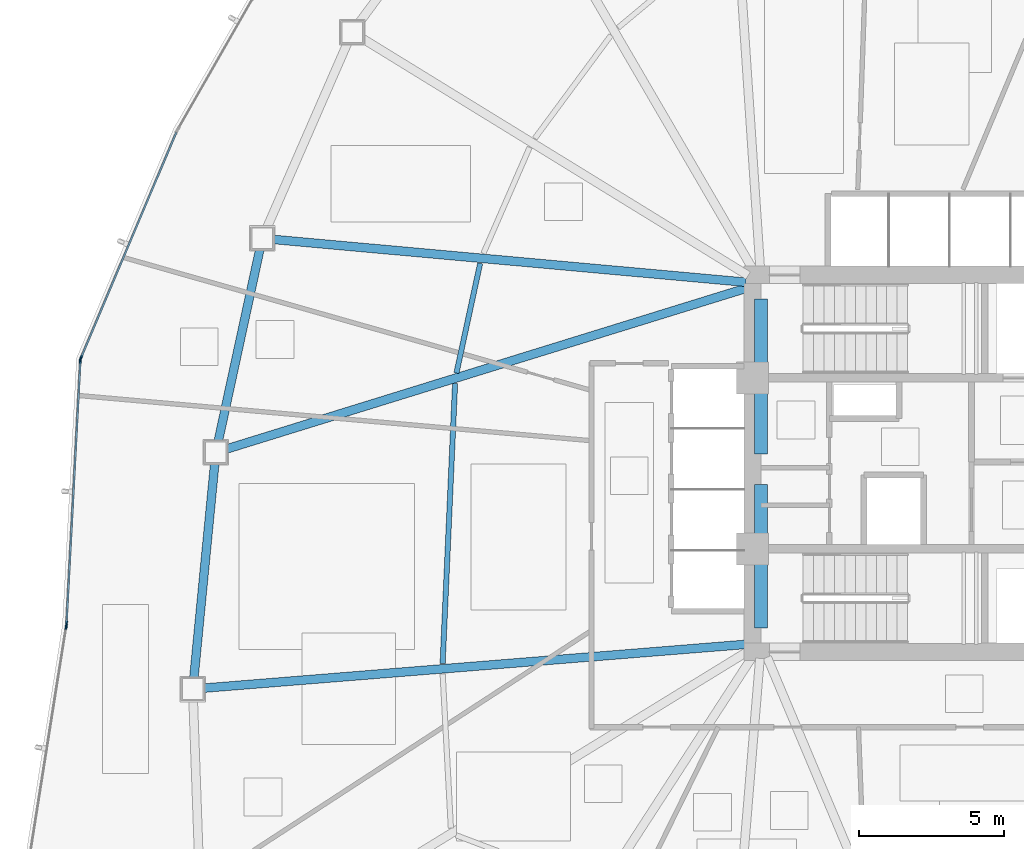
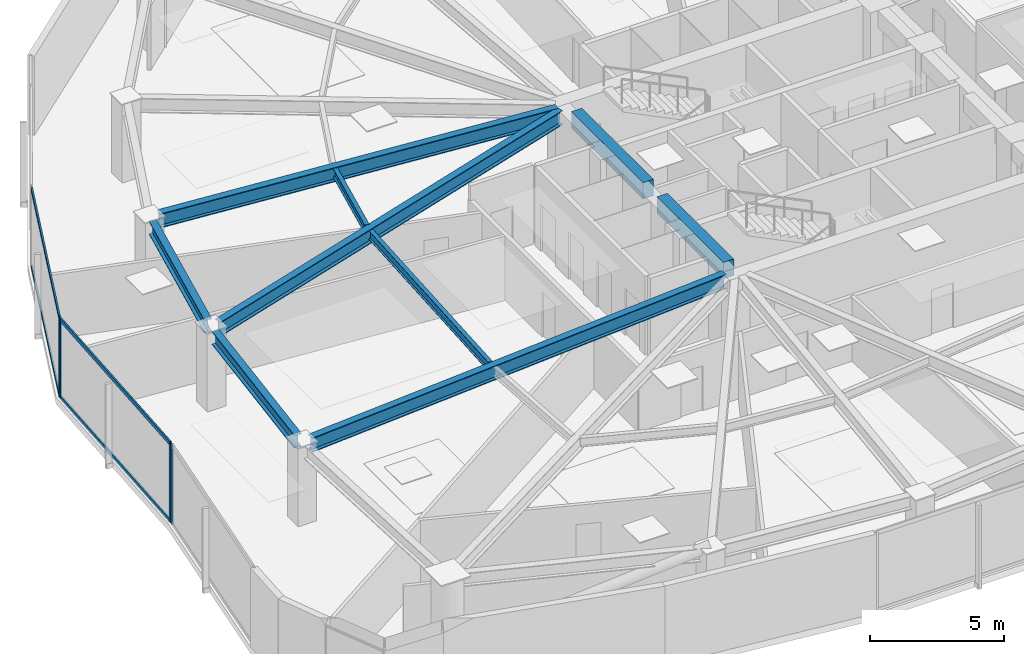
# One storey, part 4 of 17: 9 beams, 8 members, 3 elements without a shape of their own.
"""IFC4 building model written with IfcOpenShell, lengths in metres."""

from ifc_helpers import new_model, si_unit, direction, frame, origin, origin_2d, place, context, subcontext, project, spatial, rectangle, hollow_rectangle, i_section, extrude, source, transform, mapped, material, layer, layer_set, material_profile, profile_set, type_object, type_shapes, element, aggregate, save


model = new_model("IFC4")

# Units and contexts
model_context = context("Model", 3, precision=1e-05, world=origin(), true_north=direction((0.0, 1.0)))
body_context = subcontext(model_context, "Body", "Model", "MODEL_VIEW")
ifc_project = project(units=[si_unit("LENGTHUNIT", "METRE"), si_unit("AREAUNIT", "SQUARE_METRE"), si_unit("VOLUMEUNIT", "CUBIC_METRE"), si_unit("PLANEANGLEUNIT", "RADIAN"), si_unit("MASSUNIT", "GRAM", prefix="KILO")], contexts=[model_context])

# Site, building, storey
site_placement = place(None, origin())
site = spatial("IfcSite", under=ifc_project, at=site_placement, CompositionType="ELEMENT")
building_placement = place(site_placement, origin())
building = spatial("IfcBuilding", under=site, at=building_placement, Name="Tavelor Broadcast Tower", CompositionType="ELEMENT")
storey_placement = place(building_placement, frame((0.0, 0.0, 39.300048828125)))
storey = spatial("IfcBuildingStorey", under=building, at=storey_placement, Name="L08", CompositionType="ELEMENT", Elevation=39.300048828125)

# Beams
ifc_material_1 = material(Name="Concrete C40/50", Category="concrete")
ifc_material_profile_1 = material_profile(ifc_material_1, rectangle(XDim=0.449951171875, YDim=0.75, at=origin_2d()), Name="RC 450x750")
ifc_profile_set_1 = profile_set([ifc_material_profile_1], Name="Concrete C40/50")
beam_type_1 = type_object("IfcBeamType", Name="Basement Core Trim Beam 450x750", PredefinedType="BEAM", material=ifc_profile_set_1)
beam_1_placement = place(storey_placement, frame((43.39990234375, 45.327880859375, 3.224853515625), z_axis=(0.0, 1.0, 0.0), x_axis=(-1.0, 0.0, 0.0)))
element("IfcBeam", 1, at=beam_1_placement, inside=storey, type_object=beam_type_1, Name="L08 Core West-N Tie Girder", PredefinedType="BEAM", context=body_context, shape_type="SweptSolid", body=[
    extrude(rectangle(XDim=0.449951171875, YDim=0.75, at=origin_2d()), origin(), (0.0, 0.0, 1.0), 5.34423828125),
])
beam_2_placement = place(storey_placement, frame((43.39990234375, 39.327880859375, 3.224853515625), z_axis=(0.0, 1.0, 0.0), x_axis=(-1.0, 0.0, 0.0)))
element("IfcBeam", 2, at=beam_2_placement, inside=storey, type_object=beam_type_1, Name="L08 Core West-S Tie Girder", PredefinedType="BEAM", context=body_context, shape_type="SweptSolid", body=[
    extrude(rectangle(XDim=0.449951171875, YDim=0.75, at=origin_2d()), origin(), (0.0, 0.0, 1.0), 4.944091796875),
])
ifc_material_2 = material(Name="Steel S355", Category="steel")
ifc_material_profile_2 = material_profile(ifc_material_2, i_section(OverallWidth=0.179931640625, OverallDepth=0.39990234375, WebThickness=0.008544921875, FlangeThickness=0.013427734375, at=origin_2d()), Name="IPE 400")
ifc_profile_set_2 = profile_set([ifc_material_profile_2], Name="Steel S355")
beam_type_2 = type_object("IfcBeamType", Name="Composite Floor Joist T1 IPE 400", PredefinedType="JOIST", material=ifc_profile_set_2)
beam_3_placement = place(storey_placement, frame((33.70654296875, 51.897216796875, 3.39990234375), z_axis=(-0.211371868345, -0.977405715797, 0.0), x_axis=(0.977405715797, -0.211371868345, 0.0)))
element("IfcBeam", 3, at=beam_3_placement, inside=storey, type_object=beam_type_2, Name="L08 Secondary Composite Floor Joist 04", PredefinedType="JOIST", context=body_context, shape_type="SweptSolid", body=[
    extrude(i_section(OverallWidth=0.179931640625, OverallDepth=0.39990234375, WebThickness=0.008544921875, FlangeThickness=0.013427734375, at=origin_2d()), origin(), (0.0, 0.0, 1.0), 3.87158203125),
])
beam_4_placement = place(storey_placement, frame((32.841796875, 47.75537109375, 3.39990234375), z_axis=(-0.044449316538, -0.999011640703, 0.0), x_axis=(0.999011640703, -0.044449316538, 0.0)))
element("IfcBeam", 4, at=beam_4_placement, inside=storey, type_object=beam_type_2, Name="L08 Secondary Composite Floor Joist 05", PredefinedType="JOIST", context=body_context, shape_type="SweptSolid", body=[
    extrude(i_section(OverallWidth=0.179931640625, OverallDepth=0.39990234375, WebThickness=0.008544921875, FlangeThickness=0.013427734375, at=origin_2d()), origin(), (0.0, 0.0, 1.0), 9.67236328125),
])
ifc_material_profile_3 = material_profile(ifc_material_2, i_section(OverallWidth=0.300048828125, OverallDepth=0.60009765625, WebThickness=0.015380859375, FlangeThickness=0.030029296875, at=origin_2d()), Name="HEB 600")
ifc_profile_set_3 = profile_set([ifc_material_profile_3], Name="Steel S355")
beam_type_3 = type_object("IfcBeamType", Name="Perimeter Spandrel Beam T1 HEB 600", PredefinedType="SPANDREL", material=ifc_profile_set_3)
beam_5_placement = place(storey_placement, frame((26.10791015625, 52.3828125, 3.300048828125), z_axis=(-0.211857092451, -0.977300656082, 0.0), x_axis=(0.977300656082, -0.211857092451, 0.0)))
element("IfcBeam", 5, at=beam_5_placement, inside=storey, type_object=beam_type_3, Name="L08 Framed-Tube Ring Spandrel 04", PredefinedType="SPANDREL", context=body_context, shape_type="SweptSolid", body=[
    extrude(i_section(OverallWidth=0.300048828125, OverallDepth=0.60009765625, WebThickness=0.015380859375, FlangeThickness=0.030029296875, at=origin_2d()), origin(), (0.0, 0.0, 1.0), 6.780517578125),
])
beam_6_placement = place(storey_placement, frame((24.552734375, 44.99853515625, 3.300048828125), z_axis=(-0.096967474029, -0.995287550902, 0.0), x_axis=(0.995287550902, -0.096967474029, 0.0)))
element("IfcBeam", 6, at=beam_6_placement, inside=storey, type_object=beam_type_3, Name="L08 Framed-Tube Ring Spandrel 05", PredefinedType="SPANDREL", context=body_context, shape_type="SweptSolid", body=[
    extrude(i_section(OverallWidth=0.300048828125, OverallDepth=0.60009765625, WebThickness=0.015380859375, FlangeThickness=0.030029296875, at=origin_2d()), origin(), (0.0, 0.0, 1.0), 7.43505859375),
])
ifc_material_profile_4 = material_profile(ifc_material_2, i_section(OverallWidth=0.300048828125, OverallDepth=0.64990234375, WebThickness=0.01611328125, FlangeThickness=0.031005859375, at=origin_2d()), Name="HEB 650")
ifc_profile_set_4 = profile_set([ifc_material_profile_4], Name="Steel S355")
beam_type_4 = type_object("IfcBeamType", Name="Radial Floor Girder T1 HEB 650", PredefinedType="BEAM", material=ifc_profile_set_4)
beam_7_placement = place(storey_placement, frame((42.874267578125, 51.24755859375, 3.27490234375), z_axis=(-0.995926026359, 0.090173998583, 0.0), x_axis=(-0.090173998583, -0.995926026359, 0.0)))
element("IfcBeam", 7, at=beam_7_placement, inside=storey, type_object=beam_type_4, Name="L08 Radial Primary Floor Girder 04", PredefinedType="BEAM", context=body_context, shape_type="SweptSolid", body=[
    extrude(i_section(OverallWidth=0.300048828125, OverallDepth=0.64990234375, WebThickness=0.01611328125, FlangeThickness=0.031005859375, at=origin_2d()), origin(), (0.0, 0.0, 1.0), 16.369140625),
])
beam_8_placement = place(storey_placement, frame((42.8955078125, 51.0439453125, 3.27490234375), z_axis=(-0.955325842182, -0.29555462314, 0.0), x_axis=(0.29555462314, -0.955325842182, 0.0)))
element("IfcBeam", 8, at=beam_8_placement, inside=storey, type_object=beam_type_4, Name="L08 Radial Primary Floor Girder 05", PredefinedType="BEAM", context=body_context, shape_type="SweptSolid", body=[
    extrude(i_section(OverallWidth=0.300048828125, OverallDepth=0.64990234375, WebThickness=0.01611328125, FlangeThickness=0.031005859375, at=origin_2d()), origin(), (0.0, 0.0, 1.0), 18.777587890625),
])
beam_9_placement = place(storey_placement, frame((42.873779296875, 38.757568359375, 3.27490234375), z_axis=(-0.996753315624, -0.080516009538, 0.0), x_axis=(0.080516009538, -0.996753315624, 0.0)))
element("IfcBeam", 9, at=beam_9_placement, inside=storey, type_object=beam_type_4, Name="L08 Radial Primary Floor Girder 06", PredefinedType="BEAM", context=body_context, shape_type="SweptSolid", body=[
    extrude(i_section(OverallWidth=0.300048828125, OverallDepth=0.64990234375, WebThickness=0.01611328125, FlangeThickness=0.031005859375, at=origin_2d()), origin(), (0.0, 0.0, 1.0), 18.757080078125),
])

# Curtain wall, member
ifc_material_3 = material(Name="Architectural Anodized Aluminium", Category="aluminium")
ifc_layer = layer(ifc_material_3, 0.179931640625)
ifc_layer_set = layer_set([ifc_layer], Name="Architectural Anodized Aluminium")
curtain_wall_type = type_object("IfcCurtainWallType", Name="Tower Low-Zone Unitised Curtain Wall CW02", PredefinedType="NOTDEFINED", material=ifc_layer_set)
curtain_wall_1_placement = place(storey_placement, origin())
curtain_wall_1 = element("IfcCurtainWall", 10, at=curtain_wall_1_placement, inside=storey, type_object=curtain_wall_type, Name="L08 Curtain Wall CW02 Run 50", PredefinedType="NOTDEFINED")
ifc_material_profile_5 = material_profile(ifc_material_3, hollow_rectangle(XDim=0.06494140625, YDim=0.179931640625, WallThickness=0.02197265625, at=origin_2d()), Name="RHS 65x180x22")
ifc_profile_set_5 = profile_set([ifc_material_profile_5], Name="Architectural Anodized Aluminium")
member_type_1 = type_object("IfcMemberType", Name="CW02 Extruded Aluminium Mullion 65x180", PredefinedType="MULLION", material=ifc_profile_set_5)
shared_shape_1 = source(origin(), body_context, "Body", "SweptSolid", [
    extrude(hollow_rectangle(XDim=0.06494140625, YDim=0.179931640625, WallThickness=0.02197265625, at=origin_2d()), origin(), (0.0, 0.0, 1.0), 3.599853515625),
])
type_shapes(member_type_1, [shared_shape_1])
member_1_placement = place(storey_placement, frame((19.939453125, 48.639892578125, 0.0), z_axis=(0.0, 0.0, 1.0), x_axis=(0.921021556017, -0.389511608751, 0.0)))
member_1 = element("IfcMember", 11, at=member_1_placement, type_object=member_type_1, Name="CW02 mullion 2", PredefinedType="MULLION", context=body_context, shape_type="MappedRepresentation", body=[
    mapped(shared_shape_1, transform((0.0, 0.0, 0.0), scale=1.0)),
])

# Curtain wall, members
curtain_wall_2_placement = place(storey_placement, origin())
curtain_wall_2 = element("IfcCurtainWall", 12, at=curtain_wall_2_placement, inside=storey, type_object=curtain_wall_type, Name="L08 Curtain Wall CW02 Run 51", PredefinedType="NOTDEFINED")
member_2_placement = place(storey_placement, frame((19.918212890625, 48.548828125, 0.0), z_axis=(0.0, 0.0, 1.0), x_axis=(0.998607929028, -0.052746602571, 0.0)))
member_2 = element("IfcMember", 13, at=member_2_placement, type_object=member_type_1, Name="CW02 mullion 1", PredefinedType="MULLION", context=body_context, shape_type="MappedRepresentation", body=[
    mapped(shared_shape_1, transform((0.0, 0.0, 0.0), scale=1.0)),
])
member_3_placement = place(storey_placement, frame((19.438232421875, 39.4580078125, 0.0), z_axis=(0.0, 0.0, 1.0), x_axis=(0.998607929028, -0.052746602571, 0.0)))
member_3 = element("IfcMember", 14, at=member_3_placement, type_object=member_type_1, Name="CW02 mullion 2", PredefinedType="MULLION", context=body_context, shape_type="MappedRepresentation", body=[
    mapped(shared_shape_1, transform((0.0, 0.0, 0.0), scale=1.0)),
])

# Curtain wall, member
curtain_wall_3_placement = place(storey_placement, origin())
curtain_wall_3 = element("IfcCurtainWall", 15, at=curtain_wall_3_placement, inside=storey, type_object=curtain_wall_type, Name="L08 Curtain Wall CW02 Run 52", PredefinedType="NOTDEFINED")
member_4_placement = place(storey_placement, frame((19.42822265625, 39.36376953125, 0.0), z_axis=(0.0, 0.0, 1.0), x_axis=(0.98762290244, -0.156847067475, 0.0)))
member_4 = element("IfcMember", 16, at=member_4_placement, type_object=member_type_1, Name="CW02 mullion 1", PredefinedType="MULLION", context=body_context, shape_type="MappedRepresentation", body=[
    mapped(shared_shape_1, transform((0.0, 0.0, 0.0), scale=1.0)),
])
aggregate(curtain_wall_3, [member_4])

# Member
ifc_material_profile_6 = material_profile(ifc_material_3, hollow_rectangle(XDim=0.06494140625, YDim=0.179931640625, WallThickness=0.02197265625, at=origin_2d()), Name="RHS 65x180x22")
ifc_profile_set_6 = profile_set([ifc_material_profile_6], Name="Architectural Anodized Aluminium")
member_type_2 = type_object("IfcMemberType", Name="CW02 Extruded Aluminium Transom 65x180", PredefinedType="USERDEFINED", material=ifc_profile_set_6)
shared_shape_2 = source(origin(), body_context, "Body", "SweptSolid", [
    extrude(hollow_rectangle(XDim=0.06494140625, YDim=0.179931640625, WallThickness=0.02197265625, at=origin_2d()), origin(), (0.0, 0.0, 1.0), 8.407958984375),
])
member_5_placement = place(storey_placement, frame((23.22705078125, 56.413818359375, 0.032470703125), z_axis=(-0.389527265792, -0.921014934301, 0.0), x_axis=(0.921014934301, -0.389527265792, 0.0)))
member_5 = element("IfcMember", 17, at=member_5_placement, type_object=member_type_2, Name="CW02 transom 1.1", ObjectType="TRANSOM", PredefinedType="USERDEFINED", context=body_context, shape_type="MappedRepresentation", body=[
    mapped(shared_shape_2, transform((0.0, 0.0, 0.0), scale=1.0)),
])

member_6_placement = place(storey_placement, frame((23.22705078125, 56.413818359375, 3.5673828125), z_axis=(-0.389527265792, -0.921014934301, 0.0), x_axis=(0.921014934301, -0.389527265792, 0.0)))
member_6 = element("IfcMember", 18, at=member_6_placement, type_object=member_type_2, Name="CW02 transom 1.2", ObjectType="TRANSOM", PredefinedType="USERDEFINED", context=body_context, shape_type="MappedRepresentation", body=[
    mapped(shared_shape_2, transform((0.0, 0.0, 0.0), scale=1.0)),
])

aggregate(curtain_wall_1, [member_1, member_5, member_6])

shared_shape_3 = source(origin(), body_context, "Body", "SweptSolid", [
    extrude(hollow_rectangle(XDim=0.06494140625, YDim=0.179931640625, WallThickness=0.02197265625, at=origin_2d()), origin(), (0.0, 0.0, 1.0), 9.038330078125),
])
type_shapes(member_type_2, [shared_shape_2, shared_shape_3])
member_7_placement = place(storey_placement, frame((19.91650390625, 48.516357421875, 0.032470703125), z_axis=(-0.052726123574, -0.998609010521, 0.0), x_axis=(0.998609010521, -0.052726123574, 0.0)))
member_7 = element("IfcMember", 19, at=member_7_placement, type_object=member_type_2, Name="CW02 transom 1.1", ObjectType="TRANSOM", PredefinedType="USERDEFINED", context=body_context, shape_type="MappedRepresentation", body=[
    mapped(shared_shape_3, transform((0.0, 0.0, 0.0), scale=1.0)),
])

member_8_placement = place(storey_placement, frame((19.91650390625, 48.516357421875, 3.5673828125), z_axis=(-0.052726123574, -0.998609010521, 0.0), x_axis=(0.998609010521, -0.052726123574, 0.0)))
member_8 = element("IfcMember", 20, at=member_8_placement, type_object=member_type_2, Name="CW02 transom 1.2", ObjectType="TRANSOM", PredefinedType="USERDEFINED", context=body_context, shape_type="MappedRepresentation", body=[
    mapped(shared_shape_3, transform((0.0, 0.0, 0.0), scale=1.0)),
])

aggregate(curtain_wall_2, [member_2, member_3, member_7, member_8])

save(model, "model.ifc")
